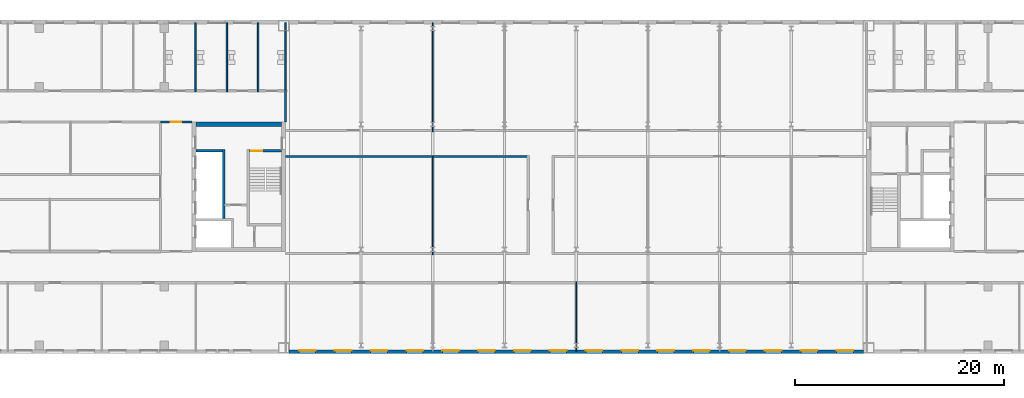
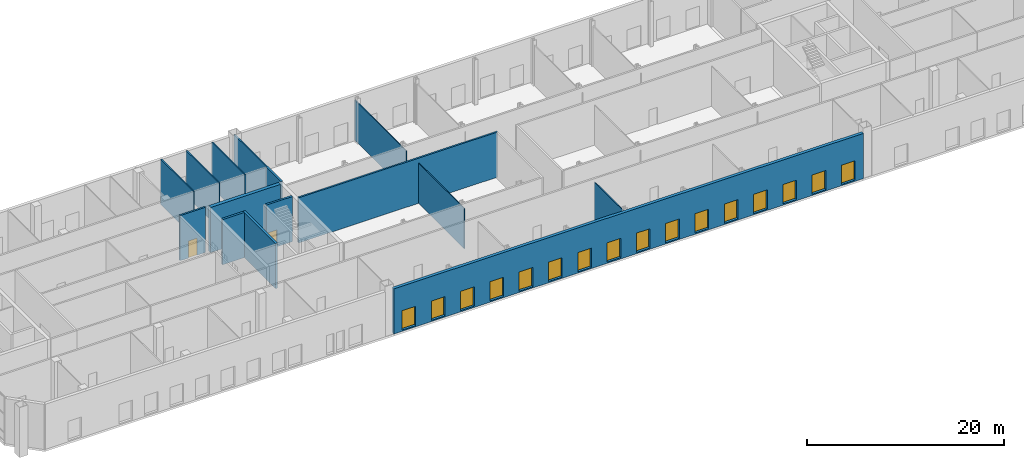
# One storey, part 11 of 20: 16 windows, 15 walls, 2 doors, 18 openings.
"""IFC4 building model written with IfcOpenShell, lengths in metres."""

from ifc_helpers import new_model, si_unit, direction, frame, frame_2d, origin, place, context, subcontext, project, spatial, rectangle, extrude, material, layer, layer_set, type_object, element, fill, save


model = new_model("IFC4")

# Units and contexts
model_context = context("Model", 3, precision=1e-05, world=origin(), true_north=direction((0.0, 1.0)))
body_context = subcontext(model_context, "Body", "Model", "MODEL_VIEW")
ifc_project = project(units=[si_unit("LENGTHUNIT", "METRE"), si_unit("AREAUNIT", "SQUARE_METRE"), si_unit("VOLUMEUNIT", "CUBIC_METRE"), si_unit("PLANEANGLEUNIT", "RADIAN"), si_unit("MASSUNIT", "GRAM", prefix="KILO")], contexts=[model_context])

# Site, building, storey
site_placement = place(None, origin())
site = spatial("IfcSite", under=ifc_project, at=site_placement, CompositionType="ELEMENT")
building_placement = place(site_placement, origin())
building = spatial("IfcBuilding", under=site, at=building_placement, Name="Tuart Gate Housing", CompositionType="ELEMENT")
storey_placement = place(building_placement, frame((0.0, 0.0, 215.199951171875)))
storey = spatial("IfcBuildingStorey", under=building, at=storey_placement, Name="L61", CompositionType="ELEMENT", Elevation=215.199951171875)

# Walls
ifc_material_1 = material(Name="Gypsum board on steel studs", Category="steel")
ifc_layer_1 = layer(ifc_material_1, 0.14990234375)
ifc_layer_set_1 = layer_set([ifc_layer_1], Name="Bathroom wall 150")
wall_type_1 = type_object("IfcWallType", Name="Bathroom wall 150", PredefinedType="PLUMBINGWALL", material=ifc_layer_set_1)
for number, where, z_axis, x_axis, name in (
    (1, (67.0, 79.10009765625, 0.0), (0.0, 0.0, 1.0), (0.0, 1.0, 0.0), "Bathroom wall 150"),
    (2, (70.0, 79.10009765625, 0.0), (0.0, 0.0, 1.0), (0.0, 1.0, 0.0), "Bathroom wall 150"),
    (3, (73.0, 79.10009765625, 0.0), (0.0, 0.0, 1.0), (0.0, 1.0, 0.0), "Bathroom wall 150"),
    (4, (75.639892578125, 79.10009765625, 0.0), (0.0, 0.0, 1.0), (0.0, 1.0, 0.0), "Bathroom wall 150"),
):
    element("IfcWall", number, at=place(storey_placement, frame(where, z_axis=z_axis, x_axis=x_axis)), inside=storey, type_object=wall_type_1, Name=name, PredefinedType="PLUMBINGWALL", context=body_context, shape_type="SweptSolid", body=[
        extrude(rectangle(XDim=6.659912109375, YDim=0.14990234375, at=frame_2d((3.330078125, 0.0))), origin(), (0.0, 0.0, 1.0), 5.60009765625),
    ])

# Wall, openings, windows
ifc_material_2 = material(Name="Brick", Category="masonry")
ifc_layer_2 = layer(ifc_material_2, 0.360107421875)
ifc_layer_set_2 = layer_set([ifc_layer_2], Name="Brick pier and spandrel wall 360")
wall_type_2 = type_object("IfcWallType", Name="Brick pier and spandrel wall 360", PredefinedType="STANDARD", material=ifc_layer_set_2)
wall_1_placement = place(storey_placement, frame((75.949951171875, 54.179931640625, 0.0), z_axis=(0.0, 0.0, 1.0), x_axis=(1.0, 0.0, 0.0)))
wall_1 = element("IfcWall", 5, at=wall_1_placement, inside=storey, type_object=wall_type_2, Name="External wall BLK-S L61", PredefinedType="STANDARD", context=body_context, shape_type="SweptSolid", body=[
    extrude(rectangle(XDim=55.10009765625, YDim=0.360107421875, at=frame_2d((27.550048828125, 0.0))), origin(), (0.0, 0.0, 1.0), 5.60009765625),
])
opening_1_placement = place(wall_1_placement, frame((0.96875, 0.0, 0.14990234375)))
opening_1 = element("IfcOpeningElement", 6, at=opening_1_placement, cuts=wall_1, Name="Opening W2", PredefinedType="OPENING", context=body_context, shape_type="SweptSolid", body=[
    extrude(rectangle(XDim=1.60009765625, YDim=2.39990234375, at=frame_2d((0.800048828125, 1.199951171875))), frame((0.0, 0.18994140625, 0.0), z_axis=(0.0, -1.0, 0.0), x_axis=(1.0, 0.0, 0.0)), (0.0, 0.0, 1.0), 0.380126953125),
])
opening_2_placement = place(wall_1_placement, frame((4.40625, 0.0, 0.14990234375)))
opening_2 = element("IfcOpeningElement", 7, at=opening_2_placement, cuts=wall_1, Name="Opening W2", PredefinedType="OPENING", context=body_context, shape_type="SweptSolid", body=[
    extrude(rectangle(XDim=1.60009765625, YDim=2.39990234375, at=frame_2d((0.800048828125, 1.199951171875))), frame((0.0, 0.18994140625, 0.0), z_axis=(0.0, -1.0, 0.0), x_axis=(1.0, 0.0, 0.0)), (0.0, 0.0, 1.0), 0.380126953125),
])
opening_3_placement = place(wall_1_placement, frame((7.84375, 0.0, 0.14990234375)))
opening_3 = element("IfcOpeningElement", 8, at=opening_3_placement, cuts=wall_1, Name="Opening W2", PredefinedType="OPENING", context=body_context, shape_type="SweptSolid", body=[
    extrude(rectangle(XDim=1.60009765625, YDim=2.39990234375, at=frame_2d((0.800048828125, 1.199951171875))), frame((0.0, 0.18994140625, 0.0), z_axis=(0.0, -1.0, 0.0), x_axis=(1.0, 0.0, 0.0)), (0.0, 0.0, 1.0), 0.380126953125),
])
opening_4_placement = place(wall_1_placement, frame((11.28125, 0.0, 0.14990234375)))
opening_4 = element("IfcOpeningElement", 9, at=opening_4_placement, cuts=wall_1, Name="Opening W2", PredefinedType="OPENING", context=body_context, shape_type="SweptSolid", body=[
    extrude(rectangle(XDim=1.60009765625, YDim=2.39990234375, at=frame_2d((0.800048828125, 1.199951171875))), frame((0.0, 0.18994140625, 0.0), z_axis=(0.0, -1.0, 0.0), x_axis=(1.0, 0.0, 0.0)), (0.0, 0.0, 1.0), 0.380126953125),
])
opening_5_placement = place(wall_1_placement, frame((14.71875, 0.0, 0.14990234375)))
opening_5 = element("IfcOpeningElement", 10, at=opening_5_placement, cuts=wall_1, Name="Opening W2", PredefinedType="OPENING", context=body_context, shape_type="SweptSolid", body=[
    extrude(rectangle(XDim=1.60009765625, YDim=2.39990234375, at=frame_2d((0.800048828125, 1.199951171875))), frame((0.0, 0.18994140625, 0.0), z_axis=(0.0, -1.0, 0.0), x_axis=(1.0, 0.0, 0.0)), (0.0, 0.0, 1.0), 0.380126953125),
])
opening_6_placement = place(wall_1_placement, frame((18.15625, 0.0, 0.14990234375)))
opening_6 = element("IfcOpeningElement", 11, at=opening_6_placement, cuts=wall_1, Name="Opening W2", PredefinedType="OPENING", context=body_context, shape_type="SweptSolid", body=[
    extrude(rectangle(XDim=1.60009765625, YDim=2.39990234375, at=frame_2d((0.800048828125, 1.199951171875))), frame((0.0, 0.18994140625, 0.0), z_axis=(0.0, -1.0, 0.0), x_axis=(1.0, 0.0, 0.0)), (0.0, 0.0, 1.0), 0.380126953125),
])
opening_7_placement = place(wall_1_placement, frame((21.59375, 0.0, 0.14990234375)))
opening_7 = element("IfcOpeningElement", 12, at=opening_7_placement, cuts=wall_1, Name="Opening W2", PredefinedType="OPENING", context=body_context, shape_type="SweptSolid", body=[
    extrude(rectangle(XDim=1.60009765625, YDim=2.39990234375, at=frame_2d((0.800048828125, 1.199951171875))), frame((0.0, 0.18994140625, 0.0), z_axis=(0.0, -1.0, 0.0), x_axis=(1.0, 0.0, 0.0)), (0.0, 0.0, 1.0), 0.380126953125),
])
opening_8_placement = place(wall_1_placement, frame((25.03125, 0.0, 0.14990234375)))
opening_8 = element("IfcOpeningElement", 13, at=opening_8_placement, cuts=wall_1, Name="Opening W2", PredefinedType="OPENING", context=body_context, shape_type="SweptSolid", body=[
    extrude(rectangle(XDim=1.60009765625, YDim=2.39990234375, at=frame_2d((0.800048828125, 1.199951171875))), frame((0.0, 0.18994140625, 0.0), z_axis=(0.0, -1.0, 0.0), x_axis=(1.0, 0.0, 0.0)), (0.0, 0.0, 1.0), 0.380126953125),
])
opening_9_placement = place(wall_1_placement, frame((28.46875, 0.0, 0.14990234375)))
opening_9 = element("IfcOpeningElement", 14, at=opening_9_placement, cuts=wall_1, Name="Opening W2", PredefinedType="OPENING", context=body_context, shape_type="SweptSolid", body=[
    extrude(rectangle(XDim=1.60009765625, YDim=2.39990234375, at=frame_2d((0.800048828125, 1.199951171875))), frame((0.0, 0.18994140625, 0.0), z_axis=(0.0, -1.0, 0.0), x_axis=(1.0, 0.0, 0.0)), (0.0, 0.0, 1.0), 0.380126953125),
])
opening_10_placement = place(wall_1_placement, frame((31.90625, 0.0, 0.14990234375)))
opening_10 = element("IfcOpeningElement", 15, at=opening_10_placement, cuts=wall_1, Name="Opening W2", PredefinedType="OPENING", context=body_context, shape_type="SweptSolid", body=[
    extrude(rectangle(XDim=1.60009765625, YDim=2.39990234375, at=frame_2d((0.800048828125, 1.199951171875))), frame((0.0, 0.18994140625, 0.0), z_axis=(0.0, -1.0, 0.0), x_axis=(1.0, 0.0, 0.0)), (0.0, 0.0, 1.0), 0.380126953125),
])
opening_11_placement = place(wall_1_placement, frame((35.34375, 0.0, 0.14990234375)))
opening_11 = element("IfcOpeningElement", 16, at=opening_11_placement, cuts=wall_1, Name="Opening W2", PredefinedType="OPENING", context=body_context, shape_type="SweptSolid", body=[
    extrude(rectangle(XDim=1.60009765625, YDim=2.39990234375, at=frame_2d((0.800048828125, 1.199951171875))), frame((0.0, 0.18994140625, 0.0), z_axis=(0.0, -1.0, 0.0), x_axis=(1.0, 0.0, 0.0)), (0.0, 0.0, 1.0), 0.380126953125),
])
opening_12_placement = place(wall_1_placement, frame((38.78125, 0.0, 0.14990234375)))
opening_12 = element("IfcOpeningElement", 17, at=opening_12_placement, cuts=wall_1, Name="Opening W2", PredefinedType="OPENING", context=body_context, shape_type="SweptSolid", body=[
    extrude(rectangle(XDim=1.60009765625, YDim=2.39990234375, at=frame_2d((0.800048828125, 1.199951171875))), frame((0.0, 0.18994140625, 0.0), z_axis=(0.0, -1.0, 0.0), x_axis=(1.0, 0.0, 0.0)), (0.0, 0.0, 1.0), 0.380126953125),
])
opening_13_placement = place(wall_1_placement, frame((42.21875, 0.0, 0.14990234375)))
opening_13 = element("IfcOpeningElement", 18, at=opening_13_placement, cuts=wall_1, Name="Opening W2", PredefinedType="OPENING", context=body_context, shape_type="SweptSolid", body=[
    extrude(rectangle(XDim=1.60009765625, YDim=2.39990234375, at=frame_2d((0.800048828125, 1.199951171875))), frame((0.0, 0.18994140625, 0.0), z_axis=(0.0, -1.0, 0.0), x_axis=(1.0, 0.0, 0.0)), (0.0, 0.0, 1.0), 0.380126953125),
])
opening_14_placement = place(wall_1_placement, frame((45.65625, 0.0, 0.14990234375)))
opening_14 = element("IfcOpeningElement", 19, at=opening_14_placement, cuts=wall_1, Name="Opening W2", PredefinedType="OPENING", context=body_context, shape_type="SweptSolid", body=[
    extrude(rectangle(XDim=1.60009765625, YDim=2.39990234375, at=frame_2d((0.800048828125, 1.199951171875))), frame((0.0, 0.18994140625, 0.0), z_axis=(0.0, -1.0, 0.0), x_axis=(1.0, 0.0, 0.0)), (0.0, 0.0, 1.0), 0.380126953125),
])
opening_15_placement = place(wall_1_placement, frame((49.09375, 0.0, 0.14990234375)))
opening_15 = element("IfcOpeningElement", 20, at=opening_15_placement, cuts=wall_1, Name="Opening W2", PredefinedType="OPENING", context=body_context, shape_type="SweptSolid", body=[
    extrude(rectangle(XDim=1.60009765625, YDim=2.39990234375, at=frame_2d((0.800048828125, 1.199951171875))), frame((0.0, 0.18994140625, 0.0), z_axis=(0.0, -1.0, 0.0), x_axis=(1.0, 0.0, 0.0)), (0.0, 0.0, 1.0), 0.380126953125),
])
opening_16_placement = place(wall_1_placement, frame((52.53125, 0.0, 0.14990234375)))
opening_16 = element("IfcOpeningElement", 21, at=opening_16_placement, cuts=wall_1, Name="Opening W2", PredefinedType="OPENING", context=body_context, shape_type="SweptSolid", body=[
    extrude(rectangle(XDim=1.60009765625, YDim=2.39990234375, at=frame_2d((0.800048828125, 1.199951171875))), frame((0.0, 0.18994140625, 0.0), z_axis=(0.0, -1.0, 0.0), x_axis=(1.0, 0.0, 0.0)), (0.0, 0.0, 1.0), 0.380126953125),
])
ifc_material_3 = material(Name="Aluminium frame with clear glass", Category="aluminium")
window_type = type_object("IfcWindowType", Name="Garden lounge window 1600 x 2400", PartitioningType="SINGLE_PANEL", PredefinedType="WINDOW", material=ifc_material_3)
window_1_placement = place(opening_1_placement, origin())
window_1 = element("IfcWindow", 22, at=window_1_placement, inside=storey, type_object=window_type, Name="Window W2", OverallHeight=2.39990234375, OverallWidth=1.60009765625, PartitioningType="SINGLE_PANEL", PredefinedType="WINDOW", context=body_context, shape_type="SweptSolid", body=[
    extrude(rectangle(XDim=1.60009765625, YDim=2.39990234375, at=frame_2d((0.800048828125, 1.199951171875))), frame((0.0, 0.150146484375, 0.0), z_axis=(0.0, -1.0, 0.0), x_axis=(1.0, 0.0, 0.0)), (0.0, 0.0, 1.0), 0.06005859375),
])
fill(opening_1, window_1)
window_2_placement = place(opening_2_placement, origin())
window_2 = element("IfcWindow", 23, at=window_2_placement, inside=storey, type_object=window_type, Name="Window W2", OverallHeight=2.39990234375, OverallWidth=1.60009765625, PartitioningType="SINGLE_PANEL", PredefinedType="WINDOW", context=body_context, shape_type="SweptSolid", body=[
    extrude(rectangle(XDim=1.60009765625, YDim=2.39990234375, at=frame_2d((0.800048828125, 1.199951171875))), frame((0.0, 0.150146484375, 0.0), z_axis=(0.0, -1.0, 0.0), x_axis=(1.0, 0.0, 0.0)), (0.0, 0.0, 1.0), 0.06005859375),
])
fill(opening_2, window_2)
window_3_placement = place(opening_3_placement, origin())
window_3 = element("IfcWindow", 24, at=window_3_placement, inside=storey, type_object=window_type, Name="Window W2", OverallHeight=2.39990234375, OverallWidth=1.60009765625, PartitioningType="SINGLE_PANEL", PredefinedType="WINDOW", context=body_context, shape_type="SweptSolid", body=[
    extrude(rectangle(XDim=1.60009765625, YDim=2.39990234375, at=frame_2d((0.800048828125, 1.199951171875))), frame((0.0, 0.150146484375, 0.0), z_axis=(0.0, -1.0, 0.0), x_axis=(1.0, 0.0, 0.0)), (0.0, 0.0, 1.0), 0.06005859375),
])
fill(opening_3, window_3)
window_4_placement = place(opening_4_placement, origin())
window_4 = element("IfcWindow", 25, at=window_4_placement, inside=storey, type_object=window_type, Name="Window W2", OverallHeight=2.39990234375, OverallWidth=1.60009765625, PartitioningType="SINGLE_PANEL", PredefinedType="WINDOW", context=body_context, shape_type="SweptSolid", body=[
    extrude(rectangle(XDim=1.60009765625, YDim=2.39990234375, at=frame_2d((0.800048828125, 1.199951171875))), frame((0.0, 0.150146484375, 0.0), z_axis=(0.0, -1.0, 0.0), x_axis=(1.0, 0.0, 0.0)), (0.0, 0.0, 1.0), 0.06005859375),
])
fill(opening_4, window_4)
window_5_placement = place(opening_5_placement, origin())
window_5 = element("IfcWindow", 26, at=window_5_placement, inside=storey, type_object=window_type, Name="Window W2", OverallHeight=2.39990234375, OverallWidth=1.60009765625, PartitioningType="SINGLE_PANEL", PredefinedType="WINDOW", context=body_context, shape_type="SweptSolid", body=[
    extrude(rectangle(XDim=1.60009765625, YDim=2.39990234375, at=frame_2d((0.800048828125, 1.199951171875))), frame((0.0, 0.150146484375, 0.0), z_axis=(0.0, -1.0, 0.0), x_axis=(1.0, 0.0, 0.0)), (0.0, 0.0, 1.0), 0.06005859375),
])
fill(opening_5, window_5)
window_6_placement = place(opening_6_placement, origin())
window_6 = element("IfcWindow", 27, at=window_6_placement, inside=storey, type_object=window_type, Name="Window W2", OverallHeight=2.39990234375, OverallWidth=1.60009765625, PartitioningType="SINGLE_PANEL", PredefinedType="WINDOW", context=body_context, shape_type="SweptSolid", body=[
    extrude(rectangle(XDim=1.60009765625, YDim=2.39990234375, at=frame_2d((0.800048828125, 1.199951171875))), frame((0.0, 0.150146484375, 0.0), z_axis=(0.0, -1.0, 0.0), x_axis=(1.0, 0.0, 0.0)), (0.0, 0.0, 1.0), 0.06005859375),
])
fill(opening_6, window_6)
window_7_placement = place(opening_7_placement, origin())
window_7 = element("IfcWindow", 28, at=window_7_placement, inside=storey, type_object=window_type, Name="Window W2", OverallHeight=2.39990234375, OverallWidth=1.60009765625, PartitioningType="SINGLE_PANEL", PredefinedType="WINDOW", context=body_context, shape_type="SweptSolid", body=[
    extrude(rectangle(XDim=1.60009765625, YDim=2.39990234375, at=frame_2d((0.800048828125, 1.199951171875))), frame((0.0, 0.150146484375, 0.0), z_axis=(0.0, -1.0, 0.0), x_axis=(1.0, 0.0, 0.0)), (0.0, 0.0, 1.0), 0.06005859375),
])
fill(opening_7, window_7)
window_8_placement = place(opening_8_placement, origin())
window_8 = element("IfcWindow", 29, at=window_8_placement, inside=storey, type_object=window_type, Name="Window W2", OverallHeight=2.39990234375, OverallWidth=1.60009765625, PartitioningType="SINGLE_PANEL", PredefinedType="WINDOW", context=body_context, shape_type="SweptSolid", body=[
    extrude(rectangle(XDim=1.60009765625, YDim=2.39990234375, at=frame_2d((0.800048828125, 1.199951171875))), frame((0.0, 0.150146484375, 0.0), z_axis=(0.0, -1.0, 0.0), x_axis=(1.0, 0.0, 0.0)), (0.0, 0.0, 1.0), 0.06005859375),
])
fill(opening_8, window_8)
window_9_placement = place(opening_9_placement, origin())
window_9 = element("IfcWindow", 30, at=window_9_placement, inside=storey, type_object=window_type, Name="Window W2", OverallHeight=2.39990234375, OverallWidth=1.60009765625, PartitioningType="SINGLE_PANEL", PredefinedType="WINDOW", context=body_context, shape_type="SweptSolid", body=[
    extrude(rectangle(XDim=1.60009765625, YDim=2.39990234375, at=frame_2d((0.800048828125, 1.199951171875))), frame((0.0, 0.150146484375, 0.0), z_axis=(0.0, -1.0, 0.0), x_axis=(1.0, 0.0, 0.0)), (0.0, 0.0, 1.0), 0.06005859375),
])
fill(opening_9, window_9)
window_10_placement = place(opening_10_placement, origin())
window_10 = element("IfcWindow", 31, at=window_10_placement, inside=storey, type_object=window_type, Name="Window W2", OverallHeight=2.39990234375, OverallWidth=1.60009765625, PartitioningType="SINGLE_PANEL", PredefinedType="WINDOW", context=body_context, shape_type="SweptSolid", body=[
    extrude(rectangle(XDim=1.60009765625, YDim=2.39990234375, at=frame_2d((0.800048828125, 1.199951171875))), frame((0.0, 0.150146484375, 0.0), z_axis=(0.0, -1.0, 0.0), x_axis=(1.0, 0.0, 0.0)), (0.0, 0.0, 1.0), 0.06005859375),
])
fill(opening_10, window_10)
window_11_placement = place(opening_11_placement, origin())
window_11 = element("IfcWindow", 32, at=window_11_placement, inside=storey, type_object=window_type, Name="Window W2", OverallHeight=2.39990234375, OverallWidth=1.60009765625, PartitioningType="SINGLE_PANEL", PredefinedType="WINDOW", context=body_context, shape_type="SweptSolid", body=[
    extrude(rectangle(XDim=1.60009765625, YDim=2.39990234375, at=frame_2d((0.800048828125, 1.199951171875))), frame((0.0, 0.150146484375, 0.0), z_axis=(0.0, -1.0, 0.0), x_axis=(1.0, 0.0, 0.0)), (0.0, 0.0, 1.0), 0.06005859375),
])
fill(opening_11, window_11)
window_12_placement = place(opening_12_placement, origin())
window_12 = element("IfcWindow", 33, at=window_12_placement, inside=storey, type_object=window_type, Name="Window W2", OverallHeight=2.39990234375, OverallWidth=1.60009765625, PartitioningType="SINGLE_PANEL", PredefinedType="WINDOW", context=body_context, shape_type="SweptSolid", body=[
    extrude(rectangle(XDim=1.60009765625, YDim=2.39990234375, at=frame_2d((0.800048828125, 1.199951171875))), frame((0.0, 0.150146484375, 0.0), z_axis=(0.0, -1.0, 0.0), x_axis=(1.0, 0.0, 0.0)), (0.0, 0.0, 1.0), 0.06005859375),
])
fill(opening_12, window_12)
window_13_placement = place(opening_13_placement, origin())
window_13 = element("IfcWindow", 34, at=window_13_placement, inside=storey, type_object=window_type, Name="Window W2", OverallHeight=2.39990234375, OverallWidth=1.60009765625, PartitioningType="SINGLE_PANEL", PredefinedType="WINDOW", context=body_context, shape_type="SweptSolid", body=[
    extrude(rectangle(XDim=1.60009765625, YDim=2.39990234375, at=frame_2d((0.800048828125, 1.199951171875))), frame((0.0, 0.150146484375, 0.0), z_axis=(0.0, -1.0, 0.0), x_axis=(1.0, 0.0, 0.0)), (0.0, 0.0, 1.0), 0.06005859375),
])
fill(opening_13, window_13)
window_14_placement = place(opening_14_placement, origin())
window_14 = element("IfcWindow", 35, at=window_14_placement, inside=storey, type_object=window_type, Name="Window W2", OverallHeight=2.39990234375, OverallWidth=1.60009765625, PartitioningType="SINGLE_PANEL", PredefinedType="WINDOW", context=body_context, shape_type="SweptSolid", body=[
    extrude(rectangle(XDim=1.60009765625, YDim=2.39990234375, at=frame_2d((0.800048828125, 1.199951171875))), frame((0.0, 0.150146484375, 0.0), z_axis=(0.0, -1.0, 0.0), x_axis=(1.0, 0.0, 0.0)), (0.0, 0.0, 1.0), 0.06005859375),
])
fill(opening_14, window_14)
window_15_placement = place(opening_15_placement, origin())
window_15 = element("IfcWindow", 36, at=window_15_placement, inside=storey, type_object=window_type, Name="Window W2", OverallHeight=2.39990234375, OverallWidth=1.60009765625, PartitioningType="SINGLE_PANEL", PredefinedType="WINDOW", context=body_context, shape_type="SweptSolid", body=[
    extrude(rectangle(XDim=1.60009765625, YDim=2.39990234375, at=frame_2d((0.800048828125, 1.199951171875))), frame((0.0, 0.150146484375, 0.0), z_axis=(0.0, -1.0, 0.0), x_axis=(1.0, 0.0, 0.0)), (0.0, 0.0, 1.0), 0.06005859375),
])
fill(opening_15, window_15)
window_16_placement = place(opening_16_placement, origin())
window_16 = element("IfcWindow", 37, at=window_16_placement, inside=storey, type_object=window_type, Name="Window W2", OverallHeight=2.39990234375, OverallWidth=1.60009765625, PartitioningType="SINGLE_PANEL", PredefinedType="WINDOW", context=body_context, shape_type="SweptSolid", body=[
    extrude(rectangle(XDim=1.60009765625, YDim=2.39990234375, at=frame_2d((0.800048828125, 1.199951171875))), frame((0.0, 0.150146484375, 0.0), z_axis=(0.0, -1.0, 0.0), x_axis=(1.0, 0.0, 0.0)), (0.0, 0.0, 1.0), 0.06005859375),
])
fill(opening_16, window_16)

# Wall
ifc_material_4 = material(Name="Concrete C40", Category="concrete")
ifc_layer_3 = layer(ifc_material_4, 0.25)
ifc_layer_set_3 = layer_set([ifc_layer_3], Name="Core wall 250 C40")
wall_type_3 = type_object("IfcWallType", Name="Core wall 250 C40", PredefinedType="SHEAR", material=ifc_layer_set_3)
wall_2_placement = place(storey_placement, frame((67.0400390625, 73.449951171875, 0.0), z_axis=(0.0, 0.0, 1.0), x_axis=(1.0, 0.0, 0.0)))
element("IfcWall", 38, at=wall_2_placement, inside=storey, type_object=wall_type_3, Name="Core wall AG.4", PredefinedType="SHEAR", context=body_context, shape_type="SweptSolid", body=[
    extrude(rectangle(XDim=2.52490234375, YDim=0.25, at=frame_2d((1.262451171875, 0.0))), origin(), (0.0, 0.0, 1.0), 5.60009765625),
])

# Wall, opening, door
wall_3_placement = place(storey_placement, frame((72.1650390625, 73.449951171875, 0.0), z_axis=(0.0, 0.0, 1.0), x_axis=(1.0, 0.0, 0.0)))
wall_3 = element("IfcWall", 39, at=wall_3_placement, inside=storey, type_object=wall_type_3, Name="Core wall AG.5", PredefinedType="SHEAR", context=body_context, shape_type="SweptSolid", body=[
    extrude(rectangle(XDim=3.074951171875, YDim=0.25, at=frame_2d((1.53759765625, 0.0))), origin(), (0.0, 0.0, 1.0), 5.60009765625),
])
opening_17_placement = place(wall_3_placement, frame((0.14990234375, 0.0, 0.0)))
opening_17 = element("IfcOpeningElement", 40, at=opening_17_placement, cuts=wall_3, Name="Opening D3016", PredefinedType="OPENING", context=body_context, shape_type="SweptSolid", body=[
    extrude(rectangle(XDim=1.10009765625, YDim=2.10009765625, at=frame_2d((0.550048828125, 1.050048828125))), frame((0.0, 0.135009765625, 0.0), z_axis=(0.0, -1.0, 0.0), x_axis=(1.0, 0.0, 0.0)), (0.0, 0.0, 1.0), 0.27001953125),
])
ifc_material_5 = material(Name="Steel fire door", Category="steel")
door_type_1 = type_object("IfcDoorType", Name="Stair door 1100 x 2100 RH", OperationType="SINGLE_SWING_RIGHT", PredefinedType="DOOR", material=ifc_material_5)
door_1_placement = place(opening_17_placement, frame((1.10009765625, 0.0, 0.0), z_axis=(0.0, 0.0, 1.0), x_axis=(-1.0, 0.0, 0.0)))
door_1 = element("IfcDoor", 41, at=door_1_placement, inside=storey, type_object=door_type_1, Name="Stair door AG.SD", OperationType="SINGLE_SWING_RIGHT", OverallHeight=2.10009765625, OverallWidth=1.10009765625, PredefinedType="DOOR", context=body_context, shape_type="SweptSolid", body=[
    extrude(rectangle(XDim=1.10009765625, YDim=2.10009765625, at=frame_2d((0.550048828125, 1.050048828125))), frame((0.0, 0.025146484375, 0.0), z_axis=(0.0, -1.0, 0.0), x_axis=(1.0, 0.0, 0.0)), (0.0, 0.0, 1.0), 0.050048828125),
])
fill(opening_17, door_1)

# Walls
wall_4_placement = place(storey_placement, frame((69.68994140625, 66.97509765625, 0.0), z_axis=(0.0, 0.0, 1.0), x_axis=(0.0, 1.0, 0.0)))
element("IfcWall", 42, at=wall_4_placement, inside=storey, type_object=wall_type_3, Name="Core wall AG.6", PredefinedType="SHEAR", context=body_context, shape_type="SweptSolid", body=[
    extrude(rectangle(XDim=6.599853515625, YDim=0.25, at=frame_2d((3.2998046875, 0.0))), origin(), (0.0, 0.0, 1.0), 5.60009765625),
])
ifc_material_6 = material(Name="Concrete C40", Category="concrete")
ifc_layer_4 = layer(ifc_material_6, 0.39990234375)
ifc_layer_set_4 = layer_set([ifc_layer_4], Name="Core wall 400 C40")
wall_type_4 = type_object("IfcWallType", Name="Core wall 400 C40", PredefinedType="SHEAR", material=ifc_layer_set_4)
wall_5_placement = place(storey_placement, frame((67.0400390625, 76.0, 0.0), z_axis=(0.0, 0.0, 1.0), x_axis=(1.0, 0.0, 0.0)))
element("IfcWall", 43, at=wall_5_placement, inside=storey, type_object=wall_type_4, Name="Core wall AG north", PredefinedType="SHEAR", context=body_context, shape_type="SweptSolid", body=[
    extrude(rectangle(XDim=8.199951171875, YDim=0.39990234375, at=frame_2d((4.10009765625, 0.0))), origin(), (0.0, 0.0, 1.0), 5.60009765625),
])
ifc_material_7 = material(Name="Concrete masonry 15 MPa", Category="masonry")
ifc_layer_5 = layer(ifc_material_7, 0.199951171875)
ifc_layer_set_5 = layer_set([ifc_layer_5], Name="Corridor wall masonry 200")
wall_type_5 = type_object("IfcWallType", Name="Corridor wall masonry 200", PredefinedType="PARTITIONING", material=ifc_layer_set_5)
wall_6_placement = place(storey_placement, frame((75.639892578125, 72.89990234375, 0.0), z_axis=(0.0, 0.0, 1.0), x_axis=(1.0, 0.0, 0.0)))
element("IfcWall", 44, at=wall_6_placement, inside=storey, type_object=wall_type_5, Name="Corridor wall masonry 200", PredefinedType="PARTITIONING", context=body_context, shape_type="SweptSolid", body=[
    extrude(rectangle(XDim=23.360107421875, YDim=0.199951171875, at=frame_2d((11.68017578125, 0.0))), origin(), (0.0, 0.0, 1.0), 5.60009765625),
])
wall_7_placement = place(storey_placement, frame((75.639892578125, 76.199951171875, 0.0), z_axis=(0.0, 0.0, 1.0), x_axis=(0.0, 1.0, 0.0)))
element("IfcWall", 45, at=wall_7_placement, inside=storey, type_object=wall_type_5, Name="Corridor wall masonry 200", PredefinedType="PARTITIONING", context=body_context, shape_type="SweptSolid", body=[
    extrude(rectangle(XDim=3.10009765625, YDim=0.199951171875, at=frame_2d((1.550048828125, 0.0))), origin(), (0.0, 0.0, 1.0), 5.60009765625),
])

# Wall, opening, door
ifc_material_8 = material(Name="Concrete masonry 15 MPa", Category="masonry")
ifc_layer_6 = layer(ifc_material_8, 0.199951171875)
ifc_layer_set_6 = layer_set([ifc_layer_6], Name="Enclosure wall masonry 200")
wall_type_6 = type_object("IfcWallType", Name="Enclosure wall masonry 200", PredefinedType="PARTITIONING", material=ifc_layer_set_6)
wall_8_placement = place(storey_placement, frame((63.639892578125, 76.199951171875, 0.0), z_axis=(0.0, 0.0, 1.0), x_axis=(1.0, 0.0, 0.0)))
wall_8 = element("IfcWall", 46, at=wall_8_placement, inside=storey, type_object=wall_type_6, Name="Enclosure wall masonry 200", PredefinedType="PARTITIONING", context=body_context, shape_type="SweptSolid", body=[
    extrude(rectangle(XDim=3.0, YDim=0.199951171875, at=frame_2d((1.5, 0.0))), origin(), (0.0, 0.0, 1.0), 5.60009765625),
])
opening_18_placement = place(wall_8_placement, frame((1.0, 0.0, 0.0)))
opening_18 = element("IfcOpeningElement", 47, at=opening_18_placement, cuts=wall_8, Name="Opening D3015", PredefinedType="OPENING", context=body_context, shape_type="SweptSolid", body=[
    extrude(rectangle(XDim=1.0, YDim=2.10009765625, at=frame_2d((0.5, 1.050048828125))), frame((0.0, 0.10986328125, 0.0), z_axis=(0.0, -1.0, 0.0), x_axis=(1.0, 0.0, 0.0)), (0.0, 0.0, 1.0), 0.219970703125),
])
ifc_material_9 = material(Name="Timber door leaf in steel frame", Category="steel")
door_type_2 = type_object("IfcDoorType", Name="Lobby door 1000 RH", OperationType="SINGLE_SWING_RIGHT", PredefinedType="DOOR", material=ifc_material_9)
door_2_placement = place(opening_18_placement, frame((1.0, 0.0, 0.0), z_axis=(0.0, 0.0, 1.0), x_axis=(-1.0, 0.0, 0.0)))
door_2 = element("IfcDoor", 48, at=door_2_placement, inside=storey, type_object=door_type_2, Name="Lobby door 1000", OperationType="SINGLE_SWING_RIGHT", OverallHeight=2.10009765625, OverallWidth=1.0, PredefinedType="DOOR", context=body_context, shape_type="SweptSolid", body=[
    extrude(rectangle(XDim=1.0, YDim=2.10009765625, at=frame_2d((0.5, 1.050048828125))), frame((0.0, 0.025146484375, 0.0), z_axis=(0.0, -1.0, 0.0), x_axis=(1.0, 0.0, 0.0)), (0.0, 0.0, 1.0), 0.050048828125),
])
fill(opening_18, door_2)

# Walls
ifc_material_10 = material(Name="Gypsum board on steel studs", Category="steel")
ifc_layer_7 = layer(ifc_material_10, 0.10009765625)
ifc_layer_set_7 = layer_set([ifc_layer_7], Name="Partition 100")
wall_type_7 = type_object("IfcWallType", Name="Partition 100", PredefinedType="PARTITIONING", material=ifc_layer_set_7)
wall_9_placement = place(storey_placement, frame((89.75, 63.5, 0.0), z_axis=(0.0, 0.0, 1.0), x_axis=(0.0, 1.0, 0.0)))
element("IfcWall", 49, at=wall_9_placement, inside=storey, type_object=wall_type_7, Name="Partition 100", PredefinedType="PARTITIONING", context=body_context, shape_type="SweptSolid", body=[
    extrude(rectangle(XDim=9.5, YDim=0.10009765625, at=frame_2d((4.75, 0.0))), origin(), (0.0, 0.0, 1.0), 4.988037109375),
])
wall_10_placement = place(storey_placement, frame((89.75, 75.300048828125, 0.0), z_axis=(0.0, 0.0, 1.0), x_axis=(0.0, 1.0, 0.0)))
element("IfcWall", 50, at=wall_10_placement, inside=storey, type_object=wall_type_7, Name="Partition 100", PredefinedType="PARTITIONING", context=body_context, shape_type="SweptSolid", body=[
    extrude(rectangle(XDim=10.4599609375, YDim=0.10009765625, at=frame_2d((5.22998046875, 0.0))), origin(), (0.0, 0.0, 1.0), 4.988037109375),
])
wall_11_placement = place(storey_placement, frame((103.5, 54.239990234375, 0.0), z_axis=(0.0, 0.0, 1.0), x_axis=(0.0, 1.0, 0.0)))
element("IfcWall", 51, at=wall_11_placement, inside=storey, type_object=wall_type_7, Name="Partition 100", PredefinedType="PARTITIONING", context=body_context, shape_type="SweptSolid", body=[
    extrude(rectangle(XDim=6.659912109375, YDim=0.10009765625, at=frame_2d((3.330078125, 0.0))), origin(), (0.0, 0.0, 1.0), 5.067138671875),
])

save(model, "model.ifc")
